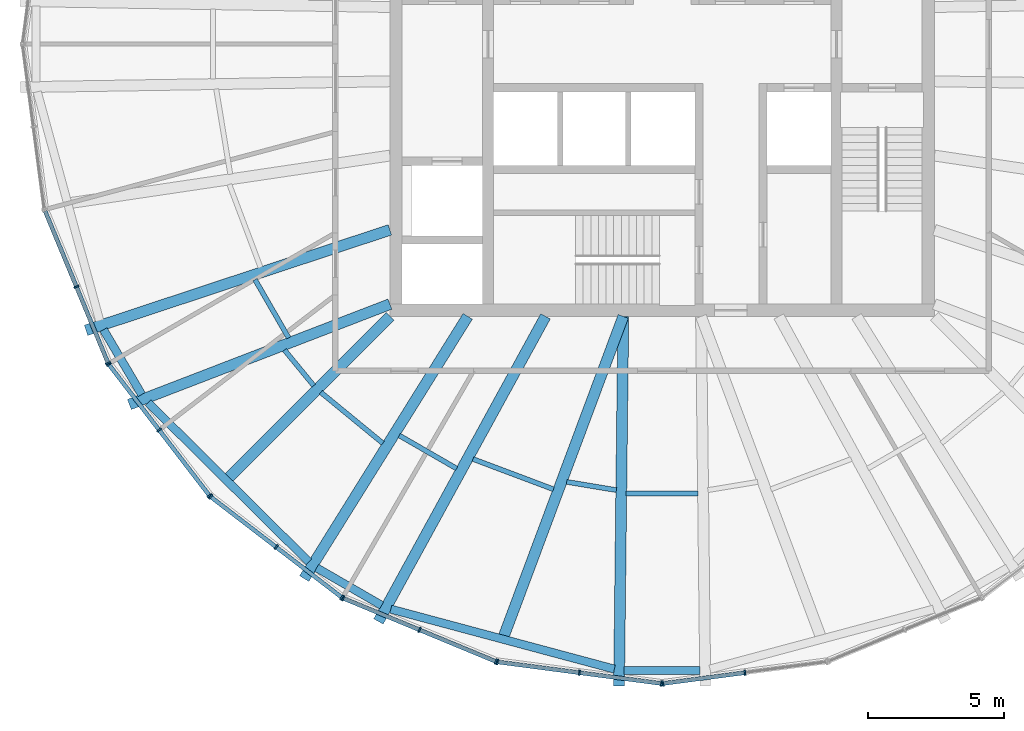
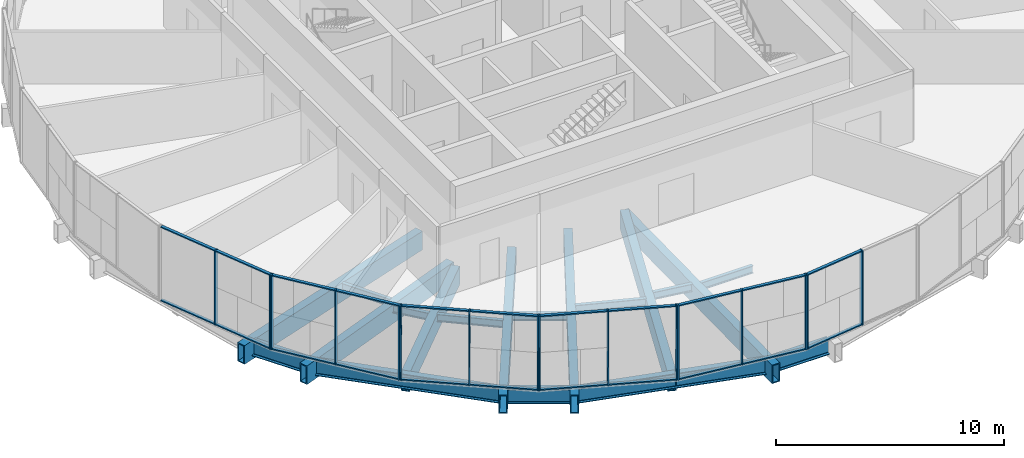
# One storey, part 1 of 13: 38 members, 19 beams, 6 elements without a shape of their own.
"""IFC4 building model written with IfcOpenShell, lengths in metres."""

import ifcopenshell
import ifcopenshell.guid

model = None  # the IFC model being written
_history = None  # IfcOwnerHistory: only IFC2X3 demands one
_inside = {}  # id of a spatial element -> (the spatial element, [elements in it])
_under = {}  # id of a project, library or spatial element -> (it, [spatial elements below it])
_declared = {}  # id of a project -> (the project, [libraries it declares])
_typed = {}  # id of a type object -> (the type object, [elements of that type])
_made_of = {}  # id of a material, layer set ... -> (it, [elements and type objects made of it])


def new_model(schema):
    """Start an empty IFC model of exactly this schema.

    Asked for "IFC4X3", IfcOpenShell would pick the latest addendum, in which some entities
    have other attributes; the version numbers below select the first issue.
    IFC2X3 requires an IfcOwnerHistory on every rooted entity: one is made here for all.
    """
    global model, _history
    if schema == "IFC4X3":
        model = ifcopenshell.file(schema_version=(4, 3, 0, 0))
    else:
        model = ifcopenshell.file(schema=schema)
    _inside.clear()
    _under.clear()
    _declared.clear()
    _typed.clear()
    _made_of.clear()
    _history = None
    if model.schema == "IFC2X3":
        org = make("IfcOrganization", Name="unknown")
        user = make(
            "IfcPersonAndOrganization",
            ThePerson=make("IfcPerson", FamilyName="unknown"),
            TheOrganization=org,
        )
        app = make(
            "IfcApplication",
            ApplicationDeveloper=org,
            Version="unknown",
            ApplicationFullName="unknown",
            ApplicationIdentifier="unknown",
        )
        _history = make(
            "IfcOwnerHistory",
            OwningUser=user,
            OwningApplication=app,
            ChangeAction="ADDED",
            CreationDate=0,
        )
    return model


def make(cls, **values):
    """One entity of the class cls with the attributes given. An attribute that is None is left unset."""
    return model.create_entity(
        cls, **{name: value for name, value in values.items() if value is not None}
    )


def rooted(cls, **values):
    """An entity with a GlobalId (a new one), such as an element, a storey or a relation."""
    return make(cls, GlobalId=ifcopenshell.guid.new(), OwnerHistory=_history, **values)


def si_unit(unit_type, name, prefix=None):
    """IfcSIUnit, for example si_unit("LENGTHUNIT", "METRE", prefix="MILLI")."""
    return make("IfcSIUnit", UnitType=unit_type, Prefix=prefix, Name=name)


def assignment(units):
    """IfcUnitAssignment: the units of a project."""
    return None if units is None else make("IfcUnitAssignment", Units=units)


def point(xyz):
    """IfcCartesianPoint."""
    return None if xyz is None else make("IfcCartesianPoint", Coordinates=xyz)


def direction(xyz):
    """IfcDirection."""
    return None if xyz is None else make("IfcDirection", DirectionRatios=xyz)


def frame(location, z_axis=None, x_axis=None):
    """IfcAxis2Placement3D, a coordinate frame: its origin and axes. An axis left out is left unset."""
    return make(
        "IfcAxis2Placement3D",
        Location=point(location),
        Axis=direction(z_axis),
        RefDirection=direction(x_axis),
    )


def frame_2d(location, x_axis=None):
    """IfcAxis2Placement2D, a coordinate frame in the plane: its origin and x axis."""
    return make(
        "IfcAxis2Placement2D", Location=point(location), RefDirection=direction(x_axis)
    )


def origin():
    """The frame at (0, 0, 0) with its axes left unset."""
    return frame((0.0, 0.0, 0.0))


def origin_2d():
    """The frame at (0, 0) in the plane with its x axis left unset."""
    return frame_2d((0.0, 0.0))


def place(relative_to, where):
    """IfcLocalPlacement: puts the frame where relative to a parent placement (None: the world)."""
    return make(
        "IfcLocalPlacement", PlacementRelTo=relative_to, RelativePlacement=where
    )


def context(
    kind, dimensions, precision=None, world=None, true_north=None, identifier=None
):
    """IfcGeometricRepresentationContext, for example the 3D "Model" context."""
    return make(
        "IfcGeometricRepresentationContext",
        ContextIdentifier=identifier,
        ContextType=kind,
        CoordinateSpaceDimension=dimensions,
        Precision=precision,
        WorldCoordinateSystem=world,
        TrueNorth=true_north,
    )


def subcontext(parent, identifier, kind, view, scale=None):
    """IfcGeometricRepresentationSubContext, for example "Body" below "Model"."""
    return make(
        "IfcGeometricRepresentationSubContext",
        ContextIdentifier=identifier,
        ContextType=kind,
        ParentContext=parent,
        TargetScale=scale,
        TargetView=view,
    )


def project(units=None, contexts=None):
    """IfcProject with its units and contexts."""
    return rooted(
        "IfcProject",
        Name="project",
        RepresentationContexts=contexts,
        UnitsInContext=assignment(units),
    )


def spatial(cls, under=None, at=None, **own):
    """A site, building, storey or space (cls), placed at a placement, below another one or the project."""
    s = rooted(cls, ObjectPlacement=at, **own)
    if under is not None:
        _under.setdefault(under.id(), (under, []))[1].append(s)
    return s


def profile(cls, at=None, kind="AREA", **sizes):
    """A parametric profile (cls). Its sizes go by their IFC names, for example OverallWidth=200.0."""
    return make(cls, ProfileType=kind, Position=at, **sizes)


def rectangle(**sizes):
    """IfcRectangleProfileDef."""
    return profile("IfcRectangleProfileDef", **sizes)


def hollow_rectangle(**sizes):
    """IfcRectangleHollowProfileDef."""
    return profile("IfcRectangleHollowProfileDef", **sizes)


def i_section(**sizes):
    """IfcIShapeProfileDef."""
    return profile("IfcIShapeProfileDef", **sizes)


def extrude(swept, where, along, depth):
    """IfcExtrudedAreaSolid: the profile swept, set in the frame where, extruded along a direction by depth."""
    return make(
        "IfcExtrudedAreaSolid",
        SweptArea=swept,
        Position=where,
        ExtrudedDirection=direction(along),
        Depth=depth,
    )


def shape(context_of_items, identifier, shape_type, items):
    """IfcShapeRepresentation: the items that make up one representation, for example the "Body"."""
    return make(
        "IfcShapeRepresentation",
        ContextOfItems=context_of_items,
        RepresentationIdentifier=identifier,
        RepresentationType=shape_type,
        Items=items,
    )


def material(Name=None, Category=None):
    """IfcMaterial."""
    return make("IfcMaterial", Name=Name, Category=Category)


def material_profile(
    of_material, cross_section, Name=None, Category=None, Priority=None
):
    """IfcMaterialProfile: a cross section and its material."""
    return make(
        "IfcMaterialProfile",
        Name=Name,
        Material=of_material,
        Profile=cross_section,
        Priority=Priority,
        Category=Category,
    )


def profile_set(profiles, Name=None, composite=None):
    """IfcMaterialProfileSet."""
    return make(
        "IfcMaterialProfileSet",
        Name=Name,
        MaterialProfiles=profiles,
        CompositeProfile=composite,
    )


def made_of(thing, what):
    """Note that an element or type object is made of a material, layer set ...; save() writes the relation."""
    if what is not None:
        _made_of.setdefault(what.id(), (what, []))[1].append(thing)
    return thing


def type_object(cls, material=None, **own):
    """A type object (cls), such as IfcWallType, which elements share."""
    return made_of(rooted(cls, **own), material)


def element(
    cls,
    number,
    at=None,
    inside=None,
    cuts=None,
    type_object=None,
    material=None,
    context=None,
    identifier="Body",
    shape_type=None,
    held_by="IfcProductDefinitionShape",
    body=None,
    shapes=None,
    **own,
):
    """One element of the class cls, such as IfcWall. Its Tag is "e" and its number.

    at: its placement. inside: the storey or other place that contains it. cuts: it is an
    opening in that element (IfcRelVoidsElement). A single representation is given by context,
    identifier, shape_type and body (its items); several are given by shapes. held_by: the class
    of the entity that holds the representations. save() writes the other relations.
    """
    e = rooted(cls, Tag="e%d" % number, ObjectPlacement=at, **own)
    if body is not None:
        shapes = [shape(context, identifier, shape_type, body)]
    if shapes is not None:
        e.Representation = make(held_by, Representations=shapes)
    if inside is not None:
        _inside.setdefault(inside.id(), (inside, []))[1].append(e)
    if cuts is not None:
        rooted(
            "IfcRelVoidsElement", RelatingBuildingElement=cuts, RelatedOpeningElement=e
        )
    if type_object is not None:
        _typed.setdefault(type_object.id(), (type_object, []))[1].append(e)
    return made_of(e, material)


def aggregate(whole, parts):
    """IfcRelAggregates: a whole, such as a stair, and the parts it consists of."""
    return rooted("IfcRelAggregates", RelatingObject=whole, RelatedObjects=parts)


def save(model, path):
    """Write the relations noted so far, then the file.

    IfcRelAggregates (storeys below a building ...), IfcRelContainedInSpatialStructure (elements
    in a storey), IfcRelDefinesByType, IfcRelAssociatesMaterial and IfcRelDeclares: one each for
    every whole, place, type object, material and project.
    """
    for whole, parts in _under.values():
        aggregate(whole, parts)
    for where, things in _inside.values():
        rooted(
            "IfcRelContainedInSpatialStructure",
            RelatedElements=things,
            RelatingStructure=where,
        )
    for kind, things in _typed.values():
        rooted("IfcRelDefinesByType", RelatedObjects=things, RelatingType=kind)
    for what, things in _made_of.values():
        rooted("IfcRelAssociatesMaterial", RelatedObjects=things, RelatingMaterial=what)
    for by, libraries in _declared.values():
        rooted("IfcRelDeclares", RelatingContext=by, RelatedDefinitions=libraries)
    model.write(path)


model = new_model("IFC4")

# Units and contexts
model_context = context("Model", 3, precision=1e-05, world=origin(), true_north=direction((0.0, 1.0)))
body_context = subcontext(model_context, "Body", "Model", "MODEL_VIEW")
ifc_project = project(units=[si_unit("LENGTHUNIT", "METRE"), si_unit("AREAUNIT", "SQUARE_METRE"), si_unit("VOLUMEUNIT", "CUBIC_METRE"), si_unit("PLANEANGLEUNIT", "RADIAN"), si_unit("MASSUNIT", "GRAM", prefix="KILO")], contexts=[model_context])

# Site, building, storey
site_placement = place(None, origin())
site = spatial("IfcSite", under=ifc_project, at=site_placement, CompositionType="ELEMENT")
building_placement = place(site_placement, origin())
building = spatial("IfcBuilding", under=site, at=building_placement, Name="Golbaran Civic Tower", CompositionType="ELEMENT")
storey_placement = place(building_placement, frame((0.0, 0.0, 211.0)))
storey = spatial("IfcBuildingStorey", under=building, at=storey_placement, Name="L51", CompositionType="ELEMENT", Elevation=211.0)

# Beams
ifc_material_1 = material(Name="Steel S355", Category="steel")
ifc_material_profile_1 = material_profile(ifc_material_1, i_section(OverallWidth=0.300048828125, OverallDepth=0.800048828125, WebThickness=0.017578125, FlangeThickness=0.032958984375, FilletRadius=0.030029296875, at=origin_2d()), Name="HEB 800")
ifc_profile_set_1 = profile_set([ifc_material_profile_1], Name="Steel S355")
beam_type_1 = type_object("IfcBeamType", Name="EDGE BEAM HEB 800", PredefinedType="BEAM", material=ifc_profile_set_1)
beam_1_placement = place(storey_placement, frame((-20.519775390625, -10.489013671875, -0.60009765625), z_axis=(0.507657170401, -0.861559166477, 0.0), x_axis=(0.861559166477, 0.507657170401, 0.0)))
element("IfcBeam", 1, at=beam_1_placement, inside=storey, type_object=beam_type_1, Name="Edge beam 206.23 L51", PredefinedType="BEAM", context=body_context, shape_type="SweptSolid", body=[
    extrude(i_section(OverallWidth=0.300048828125, OverallDepth=0.800048828125, WebThickness=0.017578125, FlangeThickness=0.032958984375, FilletRadius=0.030029296875, at=origin_2d()), origin(), (0.0, 0.0, 1.0), 2.762939453125),
])
beam_2_placement = place(storey_placement, frame((-18.88427734375, -13.16552734375, -0.60009765625), z_axis=(0.710417192706, -0.703780798479, 0.0), x_axis=(0.703780798479, 0.710417192706, 0.0)))
element("IfcBeam", 2, at=beam_2_placement, inside=storey, type_object=beam_type_1, Name="Edge beam 213.77 L51", PredefinedType="BEAM", context=body_context, shape_type="SweptSolid", body=[
    extrude(i_section(OverallWidth=0.300048828125, OverallDepth=0.800048828125, WebThickness=0.017578125, FlangeThickness=0.032958984375, FilletRadius=0.030029296875, at=origin_2d()), origin(), (0.0, 0.0, 1.0), 8.314208984375),
])
beam_3_placement = place(storey_placement, frame((-12.690673828125, -19.236572265625, -0.60009765625), z_axis=(0.866142829472, -0.499796557565, 0.0), x_axis=(0.499796557565, 0.866142829472, 0.0)))
element("IfcBeam", 3, at=beam_3_placement, inside=storey, type_object=beam_type_1, Name="Edge beam 236.23 L51", PredefinedType="BEAM", context=body_context, shape_type="SweptSolid", body=[
    extrude(i_section(OverallWidth=0.300048828125, OverallDepth=0.800048828125, WebThickness=0.017578125, FlangeThickness=0.032958984375, FilletRadius=0.030029296875, at=origin_2d()), origin(), (0.0, 0.0, 1.0), 2.757080078125),
])
beam_4_placement = place(storey_placement, frame((-9.9677734375, -20.75244140625, -0.60009765625), z_axis=(0.965858788326, -0.259069104706, 0.0), x_axis=(0.259069104706, 0.965858788326, 0.0)))
element("IfcBeam", 4, at=beam_4_placement, inside=storey, type_object=beam_type_1, Name="Edge beam 243.77 L51", PredefinedType="BEAM", context=body_context, shape_type="SweptSolid", body=[
    extrude(i_section(OverallWidth=0.300048828125, OverallDepth=0.800048828125, WebThickness=0.017578125, FlangeThickness=0.032958984375, FilletRadius=0.030029296875, at=origin_2d()), origin(), (0.0, 0.0, 1.0), 8.501220703125),
])
beam_5_placement = place(storey_placement, frame((-1.3974609375, -23.0029296875, -0.60009765625), z_axis=(1.0, 0.0, 0.0), x_axis=(0.0, 1.0, 0.0)))
element("IfcBeam", 5, at=beam_5_placement, inside=storey, type_object=beam_type_1, Name="Edge beam 266.23 L51", PredefinedType="BEAM", context=body_context, shape_type="SweptSolid", body=[
    extrude(i_section(OverallWidth=0.300048828125, OverallDepth=0.800048828125, WebThickness=0.017578125, FlangeThickness=0.032958984375, FilletRadius=0.030029296875, at=origin_2d()), origin(), (0.0, 0.0, 1.0), 2.794921875),
])
ifc_material_profile_2 = material_profile(ifc_material_1, i_section(OverallWidth=0.179931640625, OverallDepth=0.39990234375, WebThickness=0.008544921875, FlangeThickness=0.013427734375, FilletRadius=0.02099609375, at=origin_2d()), Name="IPE 400")
ifc_profile_set_2 = profile_set([ifc_material_profile_2], Name="Steel S355")
beam_type_2 = type_object("IfcBeamType", Name="FLOOR INFILL BEAM IPE 400", PredefinedType="BEAM", material=ifc_profile_set_2)
beam_6_placement = place(storey_placement, frame((-14.954833984375, -8.649169921875, -0.39990234375), z_axis=(0.499984653673, -0.866034263809, 0.0), x_axis=(0.866034263809, 0.499984653673, 0.0)))
element("IfcBeam", 6, at=beam_6_placement, inside=storey, type_object=beam_type_2, Name="Infill beam 210.00 L51", PredefinedType="BEAM", context=body_context, shape_type="SweptSolid", body=[
    extrude(i_section(OverallWidth=0.179931640625, OverallDepth=0.39990234375, WebThickness=0.008544921875, FlangeThickness=0.013427734375, FilletRadius=0.02099609375, at=origin_2d()), origin(), (0.0, 0.0, 1.0), 2.4716796875),
])
beam_7_placement = place(storey_placement, frame((-13.87255859375, -11.23486328125, -0.39990234375), z_axis=(0.63457951608, -0.772857579229, 0.0), x_axis=(0.772857579229, 0.63457951608, 0.0)))
element("IfcBeam", 7, at=beam_7_placement, inside=storey, type_object=beam_type_2, Name="Infill beam 219.39 L51", PredefinedType="BEAM", context=body_context, shape_type="SweptSolid", body=[
    extrude(i_section(OverallWidth=0.179931640625, OverallDepth=0.39990234375, WebThickness=0.008544921875, FlangeThickness=0.013427734375, FilletRadius=0.02099609375, at=origin_2d()), origin(), (0.0, 0.0, 1.0), 1.693115234375),
])
beam_8_placement = place(storey_placement, frame((-12.5361328125, -12.79052734375, -0.39990234375), z_axis=(0.77290341436, -0.634523689133, 0.0), x_axis=(0.634523689133, 0.77290341436, 0.0)))
element("IfcBeam", 8, at=beam_8_placement, inside=storey, type_object=beam_type_2, Name="Infill beam 230.61 L51", PredefinedType="BEAM", context=body_context, shape_type="SweptSolid", body=[
    extrude(i_section(OverallWidth=0.179931640625, OverallDepth=0.39990234375, WebThickness=0.008544921875, FlangeThickness=0.013427734375, FilletRadius=0.02099609375, at=origin_2d()), origin(), (0.0, 0.0, 1.0), 2.944580078125),
])
beam_9_placement = place(storey_placement, frame((-9.657470703125, -14.37255859375, -0.39990234375), z_axis=(0.866041838024, -0.499971533982, 0.0), x_axis=(0.499971533982, 0.866041838024, 0.0)))
element("IfcBeam", 9, at=beam_9_placement, inside=storey, type_object=beam_type_2, Name="Infill beam 240.00 L51", PredefinedType="BEAM", context=body_context, shape_type="SweptSolid", body=[
    extrude(i_section(OverallWidth=0.179931640625, OverallDepth=0.39990234375, WebThickness=0.008544921875, FlangeThickness=0.013427734375, FilletRadius=0.02099609375, at=origin_2d()), origin(), (0.0, 0.0, 1.0), 2.432373046875),
])
beam_10_placement = place(storey_placement, frame((-6.94873046875, -15.238525390625, -0.39990234375), z_axis=(0.935969741276, -0.352080450203, 0.0), x_axis=(0.352080450203, 0.935969741276, 0.0)))
element("IfcBeam", 10, at=beam_10_placement, inside=storey, type_object=beam_type_2, Name="Infill beam 249.39 L51", PredefinedType="BEAM", context=body_context, shape_type="SweptSolid", body=[
    extrude(i_section(OverallWidth=0.179931640625, OverallDepth=0.39990234375, WebThickness=0.008544921875, FlangeThickness=0.013427734375, FilletRadius=0.02099609375, at=origin_2d()), origin(), (0.0, 0.0, 1.0), 3.158447265625),
])
beam_11_placement = place(storey_placement, frame((-3.5068359375, -16.0791015625, -0.39990234375), z_axis=(0.986607093362, -0.163114816398, 0.0), x_axis=(0.163114816398, 0.986607093362, 0.0)))
element("IfcBeam", 11, at=beam_11_placement, inside=storey, type_object=beam_type_2, Name="Infill beam 260.61 L51", PredefinedType="BEAM", context=body_context, shape_type="SweptSolid", body=[
    extrude(i_section(OverallWidth=0.179931640625, OverallDepth=0.39990234375, WebThickness=0.008544921875, FlangeThickness=0.013427734375, FilletRadius=0.02099609375, at=origin_2d()), origin(), (0.0, 0.0, 1.0), 1.849853515625),
])
beam_12_placement = place(storey_placement, frame((-1.322998046875, -16.50146484375, -0.39990234375), z_axis=(1.0, 0.0, 0.0), x_axis=(0.0, 1.0, 0.0)))
element("IfcBeam", 12, at=beam_12_placement, inside=storey, type_object=beam_type_2, Name="Infill beam 270.00 L51", PredefinedType="BEAM", context=body_context, shape_type="SweptSolid", body=[
    extrude(i_section(OverallWidth=0.179931640625, OverallDepth=0.39990234375, WebThickness=0.008544921875, FlangeThickness=0.013427734375, FilletRadius=0.02099609375, at=origin_2d()), origin(), (0.0, 0.0, 1.0), 2.64599609375),
])

# Curtain wall, members
ifc_material_2 = material(Name="Aluminium and glass", Category="aluminium")
curtain_wall_type = type_object("IfcCurtainWallType", Name="INNER SKIN CURTAIN WALL EXECUTIVE", PredefinedType="NOTDEFINED", material=ifc_material_2)
curtain_wall_1_placement = place(storey_placement, origin())
curtain_wall_1 = element("IfcCurtainWall", 13, at=curtain_wall_1_placement, inside=storey, type_object=curtain_wall_type, Name="Inner skin L51 facet 14 CW2", ObjectType="INNER SKIN", PredefinedType="USERDEFINED")
ifc_material_3 = material(Name="Aluminium", Category="aluminium")
ifc_material_profile_3 = material_profile(ifc_material_3, rectangle(XDim=0.199951171875, YDim=0.06005859375, at=origin_2d()), Name="INNER SKIN CURTAIN WALL EXECUTIVE MULLION")
ifc_profile_set_3 = profile_set([ifc_material_profile_3], Name="Aluminium")
member_type_1 = type_object("IfcMemberType", Name="INNER SKIN CURTAIN WALL EXECUTIVE MULLION", PredefinedType="MULLION", material=ifc_profile_set_3)
member_1_placement = place(storey_placement, frame((-21.514404296875, -8.91162109375, 0.0), z_axis=(0.0, 0.0, 1.0), x_axis=(0.923879532505, 0.382683432381, 0.0)))
member_1 = element("IfcMember", 14, at=member_1_placement, type_object=member_type_1, Name="CW2 mullion 2", PredefinedType="MULLION", context=body_context, shape_type="SweptSolid", body=[
    extrude(rectangle(XDim=0.199951171875, YDim=0.06005859375, at=origin_2d()), origin(), (0.0, 0.0, 1.0), 4.0),
])
member_2_placement = place(storey_placement, frame((-20.352783203125, -11.71630859375, 0.0), z_axis=(0.0, 0.0, 1.0), x_axis=(0.923879532505, 0.382683432381, 0.0)))
member_2 = element("IfcMember", 15, at=member_2_placement, type_object=member_type_1, Name="CW2 mullion 3", PredefinedType="MULLION", context=body_context, shape_type="SweptSolid", body=[
    extrude(rectangle(XDim=0.199951171875, YDim=0.06005859375, at=origin_2d()), origin(), (0.0, 0.0, 1.0), 4.0),
])

curtain_wall_2_placement = place(storey_placement, origin())
curtain_wall_2 = element("IfcCurtainWall", 16, at=curtain_wall_2_placement, inside=storey, type_object=curtain_wall_type, Name="Inner skin L51 facet 15 CW2", ObjectType="INNER SKIN", PredefinedType="USERDEFINED")
member_3_placement = place(storey_placement, frame((-20.322998046875, -11.767822265625, 0.0), z_axis=(0.0, 0.0, 1.0), x_axis=(0.793353340366, 0.608761428912, 0.0)))
member_3 = element("IfcMember", 17, at=member_3_placement, type_object=member_type_1, Name="CW2 mullion 1", PredefinedType="MULLION", context=body_context, shape_type="SweptSolid", body=[
    extrude(rectangle(XDim=0.199951171875, YDim=0.06005859375, at=origin_2d()), origin(), (0.0, 0.0, 1.0), 4.0),
])
member_4_placement = place(storey_placement, frame((-18.474853515625, -14.17626953125, 0.0), z_axis=(0.0, 0.0, 1.0), x_axis=(0.793353340366, 0.608761428912, 0.0)))
member_4 = element("IfcMember", 18, at=member_4_placement, type_object=member_type_1, Name="CW2 mullion 2", PredefinedType="MULLION", context=body_context, shape_type="SweptSolid", body=[
    extrude(rectangle(XDim=0.199951171875, YDim=0.06005859375, at=origin_2d()), origin(), (0.0, 0.0, 1.0), 4.0),
])
member_5_placement = place(storey_placement, frame((-16.626708984375, -16.584716796875, 0.0), z_axis=(0.0, 0.0, 1.0), x_axis=(0.793353340366, 0.608761428912, 0.0)))
member_5 = element("IfcMember", 19, at=member_5_placement, type_object=member_type_1, Name="CW2 mullion 3", PredefinedType="MULLION", context=body_context, shape_type="SweptSolid", body=[
    extrude(rectangle(XDim=0.199951171875, YDim=0.06005859375, at=origin_2d()), origin(), (0.0, 0.0, 1.0), 4.0),
])

curtain_wall_3_placement = place(storey_placement, origin())
curtain_wall_3 = element("IfcCurtainWall", 20, at=curtain_wall_3_placement, inside=storey, type_object=curtain_wall_type, Name="Inner skin L51 facet 16 CW2", ObjectType="INNER SKIN", PredefinedType="USERDEFINED")
member_6_placement = place(storey_placement, frame((-16.584716796875, -16.626708984375, 0.0), z_axis=(0.0, 0.0, 1.0), x_axis=(0.608761428912, 0.793353340366, 0.0)))
member_6 = element("IfcMember", 21, at=member_6_placement, type_object=member_type_1, Name="CW2 mullion 1", PredefinedType="MULLION", context=body_context, shape_type="SweptSolid", body=[
    extrude(rectangle(XDim=0.199951171875, YDim=0.06005859375, at=origin_2d()), origin(), (0.0, 0.0, 1.0), 4.0),
])
member_7_placement = place(storey_placement, frame((-14.17626953125, -18.474853515625, 0.0), z_axis=(0.0, 0.0, 1.0), x_axis=(0.608761428912, 0.793353340366, 0.0)))
member_7 = element("IfcMember", 22, at=member_7_placement, type_object=member_type_1, Name="CW2 mullion 2", PredefinedType="MULLION", context=body_context, shape_type="SweptSolid", body=[
    extrude(rectangle(XDim=0.199951171875, YDim=0.06005859375, at=origin_2d()), origin(), (0.0, 0.0, 1.0), 4.0),
])
member_8_placement = place(storey_placement, frame((-11.767822265625, -20.322998046875, 0.0), z_axis=(0.0, 0.0, 1.0), x_axis=(0.608761428912, 0.793353340366, 0.0)))
member_8 = element("IfcMember", 23, at=member_8_placement, type_object=member_type_1, Name="CW2 mullion 3", PredefinedType="MULLION", context=body_context, shape_type="SweptSolid", body=[
    extrude(rectangle(XDim=0.199951171875, YDim=0.06005859375, at=origin_2d()), origin(), (0.0, 0.0, 1.0), 4.0),
])

curtain_wall_4_placement = place(storey_placement, origin())
curtain_wall_4 = element("IfcCurtainWall", 24, at=curtain_wall_4_placement, inside=storey, type_object=curtain_wall_type, Name="Inner skin L51 facet 17 CW2", ObjectType="INNER SKIN", PredefinedType="USERDEFINED")
member_9_placement = place(storey_placement, frame((-11.71630859375, -20.352783203125, 0.0), z_axis=(0.0, 0.0, 1.0), x_axis=(0.382683432381, 0.923879532505, 0.0)))
member_9 = element("IfcMember", 25, at=member_9_placement, type_object=member_type_1, Name="CW2 mullion 1", PredefinedType="MULLION", context=body_context, shape_type="SweptSolid", body=[
    extrude(rectangle(XDim=0.199951171875, YDim=0.06005859375, at=origin_2d()), origin(), (0.0, 0.0, 1.0), 4.0),
])
member_10_placement = place(storey_placement, frame((-8.91162109375, -21.514404296875, 0.0), z_axis=(0.0, 0.0, 1.0), x_axis=(0.382683432381, 0.923879532505, 0.0)))
member_10 = element("IfcMember", 26, at=member_10_placement, type_object=member_type_1, Name="CW2 mullion 2", PredefinedType="MULLION", context=body_context, shape_type="SweptSolid", body=[
    extrude(rectangle(XDim=0.199951171875, YDim=0.06005859375, at=origin_2d()), origin(), (0.0, 0.0, 1.0), 4.0),
])
member_11_placement = place(storey_placement, frame((-6.10693359375, -22.67626953125, 0.0), z_axis=(0.0, 0.0, 1.0), x_axis=(0.382683432381, 0.923879532505, 0.0)))
member_11 = element("IfcMember", 27, at=member_11_placement, type_object=member_type_1, Name="CW2 mullion 3", PredefinedType="MULLION", context=body_context, shape_type="SweptSolid", body=[
    extrude(rectangle(XDim=0.199951171875, YDim=0.06005859375, at=origin_2d()), origin(), (0.0, 0.0, 1.0), 4.0),
])

curtain_wall_5_placement = place(storey_placement, origin())
curtain_wall_5 = element("IfcCurtainWall", 28, at=curtain_wall_5_placement, inside=storey, type_object=curtain_wall_type, Name="Inner skin L51 facet 18 CW2", ObjectType="INNER SKIN", PredefinedType="USERDEFINED")
member_12_placement = place(storey_placement, frame((-6.04931640625, -22.691650390625, 0.0), z_axis=(0.0, 0.0, 1.0), x_axis=(0.130526192203, 0.991444861376, 0.0)))
member_12 = element("IfcMember", 29, at=member_12_placement, type_object=member_type_1, Name="CW2 mullion 1", PredefinedType="MULLION", context=body_context, shape_type="SweptSolid", body=[
    extrude(rectangle(XDim=0.199951171875, YDim=0.06005859375, at=origin_2d()), origin(), (0.0, 0.0, 1.0), 4.0),
])
member_13_placement = place(storey_placement, frame((-3.03955078125, -23.087890625, 0.0), z_axis=(0.0, 0.0, 1.0), x_axis=(0.130526192203, 0.991444861376, 0.0)))
member_13 = element("IfcMember", 30, at=member_13_placement, type_object=member_type_1, Name="CW2 mullion 2", PredefinedType="MULLION", context=body_context, shape_type="SweptSolid", body=[
    extrude(rectangle(XDim=0.199951171875, YDim=0.06005859375, at=origin_2d()), origin(), (0.0, 0.0, 1.0), 4.0),
])
member_14_placement = place(storey_placement, frame((-0.02978515625, -23.484130859375, 0.0), z_axis=(0.0, 0.0, 1.0), x_axis=(0.130526192203, 0.991444861376, 0.0)))
member_14 = element("IfcMember", 31, at=member_14_placement, type_object=member_type_1, Name="CW2 mullion 3", PredefinedType="MULLION", context=body_context, shape_type="SweptSolid", body=[
    extrude(rectangle(XDim=0.199951171875, YDim=0.06005859375, at=origin_2d()), origin(), (0.0, 0.0, 1.0), 4.0),
])

curtain_wall_6_placement = place(storey_placement, origin())
curtain_wall_6 = element("IfcCurtainWall", 32, at=curtain_wall_6_placement, inside=storey, type_object=curtain_wall_type, Name="Inner skin L51 facet 19 CW2", ObjectType="INNER SKIN", PredefinedType="USERDEFINED")
member_15_placement = place(storey_placement, frame((0.02978515625, -23.484130859375, 0.0), z_axis=(0.0, 0.0, 1.0), x_axis=(-0.130526192203, 0.991444861376, 0.0)))
member_15 = element("IfcMember", 33, at=member_15_placement, type_object=member_type_1, Name="CW2 mullion 1", PredefinedType="MULLION", context=body_context, shape_type="SweptSolid", body=[
    extrude(rectangle(XDim=0.199951171875, YDim=0.06005859375, at=origin_2d()), origin(), (0.0, 0.0, 1.0), 4.0),
])
member_16_placement = place(storey_placement, frame((3.03955078125, -23.087890625, 0.0), z_axis=(0.0, 0.0, 1.0), x_axis=(-0.130526192203, 0.991444861376, 0.0)))
member_16 = element("IfcMember", 34, at=member_16_placement, type_object=member_type_1, Name="CW2 mullion 2", PredefinedType="MULLION", context=body_context, shape_type="SweptSolid", body=[
    extrude(rectangle(XDim=0.199951171875, YDim=0.06005859375, at=origin_2d()), origin(), (0.0, 0.0, 1.0), 4.0),
])

# Member
ifc_material_profile_4 = material_profile(ifc_material_3, rectangle(XDim=0.14990234375, YDim=0.06005859375, at=origin_2d()), Name="INNER SKIN CURTAIN WALL EXECUTIVE TRANSOM")
ifc_profile_set_4 = profile_set([ifc_material_profile_4], Name="Aluminium")
member_type_2 = type_object("IfcMemberType", Name="INNER SKIN CURTAIN WALL EXECUTIVE TRANSOM", PredefinedType="USERDEFINED", material=ifc_profile_set_4)
member_17_placement = place(storey_placement, frame((-22.664794921875, -6.134521484375, 0.030029296875), z_axis=(0.382721321507, -0.923863837405, 0.0), x_axis=(0.923863837405, 0.382721321507, 0.0)))
member_17 = element("IfcMember", 35, at=member_17_placement, type_object=member_type_2, Name="CW2 transom 1.1", ObjectType="TRANSOM", PredefinedType="USERDEFINED", context=body_context, shape_type="SweptSolid", body=[
    extrude(rectangle(XDim=0.14990234375, YDim=0.06005859375, at=origin_2d()), origin(), (0.0, 0.0, 1.0), 2.975830078125),
])

member_18_placement = place(storey_placement, frame((-22.664794921875, -6.134521484375, 3.969970703125), z_axis=(0.382721321507, -0.923863837405, 0.0), x_axis=(0.923863837405, 0.382721321507, 0.0)))
member_18 = element("IfcMember", 36, at=member_18_placement, type_object=member_type_2, Name="CW2 transom 1.2", ObjectType="TRANSOM", PredefinedType="USERDEFINED", context=body_context, shape_type="SweptSolid", body=[
    extrude(rectangle(XDim=0.14990234375, YDim=0.06005859375, at=origin_2d()), origin(), (0.0, 0.0, 1.0), 2.975830078125),
])

member_19_placement = place(storey_placement, frame((-21.5029296875, -8.939208984375, 0.030029296875), z_axis=(0.382651294204, -0.923892843918, 0.0), x_axis=(0.923892843918, 0.382651294204, 0.0)))
member_19 = element("IfcMember", 37, at=member_19_placement, type_object=member_type_2, Name="CW2 transom 2.1", ObjectType="TRANSOM", PredefinedType="USERDEFINED", context=body_context, shape_type="SweptSolid", body=[
    extrude(rectangle(XDim=0.14990234375, YDim=0.06005859375, at=origin_2d()), origin(), (0.0, 0.0, 1.0), 2.975830078125),
])

member_20_placement = place(storey_placement, frame((-21.5029296875, -8.939208984375, 3.969970703125), z_axis=(0.382651294204, -0.923892843918, 0.0), x_axis=(0.923892843918, 0.382651294204, 0.0)))
member_20 = element("IfcMember", 38, at=member_20_placement, type_object=member_type_2, Name="CW2 transom 2.2", ObjectType="TRANSOM", PredefinedType="USERDEFINED", context=body_context, shape_type="SweptSolid", body=[
    extrude(rectangle(XDim=0.14990234375, YDim=0.06005859375, at=origin_2d()), origin(), (0.0, 0.0, 1.0), 2.975830078125),
])

aggregate(curtain_wall_1, [member_1, member_2, member_17, member_18, member_19, member_20])

member_21_placement = place(storey_placement, frame((-20.3046875, -11.79150390625, 0.030029296875), z_axis=(0.608758745152, -0.79335539968, 0.0), x_axis=(0.79335539968, 0.608758745152, 0.0)))
member_21 = element("IfcMember", 39, at=member_21_placement, type_object=member_type_2, Name="CW2 transom 1.1", ObjectType="TRANSOM", PredefinedType="USERDEFINED", context=body_context, shape_type="SweptSolid", body=[
    extrude(rectangle(XDim=0.14990234375, YDim=0.06005859375, at=origin_2d()), origin(), (0.0, 0.0, 1.0), 2.975830078125),
])

member_22_placement = place(storey_placement, frame((-20.3046875, -11.79150390625, 3.969970703125), z_axis=(0.608758745152, -0.79335539968, 0.0), x_axis=(0.79335539968, 0.608758745152, 0.0)))
member_22 = element("IfcMember", 40, at=member_22_placement, type_object=member_type_2, Name="CW2 transom 1.2", ObjectType="TRANSOM", PredefinedType="USERDEFINED", context=body_context, shape_type="SweptSolid", body=[
    extrude(rectangle(XDim=0.14990234375, YDim=0.06005859375, at=origin_2d()), origin(), (0.0, 0.0, 1.0), 2.975830078125),
])

member_23_placement = place(storey_placement, frame((-18.45654296875, -14.199951171875, 0.030029296875), z_axis=(0.608719123338, -0.793385800782, 0.0), x_axis=(0.793385800782, 0.608719123338, 0.0)))
member_23 = element("IfcMember", 41, at=member_23_placement, type_object=member_type_2, Name="CW2 transom 2.1", ObjectType="TRANSOM", PredefinedType="USERDEFINED", context=body_context, shape_type="SweptSolid", body=[
    extrude(rectangle(XDim=0.14990234375, YDim=0.06005859375, at=origin_2d()), origin(), (0.0, 0.0, 1.0), 2.97607421875),
])

member_24_placement = place(storey_placement, frame((-18.45654296875, -14.199951171875, 3.969970703125), z_axis=(0.608719123338, -0.793385800782, 0.0), x_axis=(0.793385800782, 0.608719123338, 0.0)))
member_24 = element("IfcMember", 42, at=member_24_placement, type_object=member_type_2, Name="CW2 transom 2.2", ObjectType="TRANSOM", PredefinedType="USERDEFINED", context=body_context, shape_type="SweptSolid", body=[
    extrude(rectangle(XDim=0.14990234375, YDim=0.06005859375, at=origin_2d()), origin(), (0.0, 0.0, 1.0), 2.97607421875),
])

aggregate(curtain_wall_2, [member_3, member_4, member_5, member_21, member_22, member_23, member_24])

member_25_placement = place(storey_placement, frame((-16.56103515625, -16.64501953125, 0.030029296875), z_axis=(0.793385800782, -0.608719123338, 0.0), x_axis=(0.608719123338, 0.793385800782, 0.0)))
member_25 = element("IfcMember", 43, at=member_25_placement, type_object=member_type_2, Name="CW2 transom 1.1", ObjectType="TRANSOM", PredefinedType="USERDEFINED", context=body_context, shape_type="SweptSolid", body=[
    extrude(rectangle(XDim=0.14990234375, YDim=0.06005859375, at=origin_2d()), origin(), (0.0, 0.0, 1.0), 2.97607421875),
])

member_26_placement = place(storey_placement, frame((-16.56103515625, -16.64501953125, 3.969970703125), z_axis=(0.793385800782, -0.608719123338, 0.0), x_axis=(0.608719123338, 0.793385800782, 0.0)))
member_26 = element("IfcMember", 44, at=member_26_placement, type_object=member_type_2, Name="CW2 transom 1.2", ObjectType="TRANSOM", PredefinedType="USERDEFINED", context=body_context, shape_type="SweptSolid", body=[
    extrude(rectangle(XDim=0.14990234375, YDim=0.06005859375, at=origin_2d()), origin(), (0.0, 0.0, 1.0), 2.97607421875),
])

member_27_placement = place(storey_placement, frame((-14.15234375, -18.4931640625, 0.030029296875), z_axis=(0.79335539968, -0.608758745152, 0.0), x_axis=(0.608758745152, 0.79335539968, 0.0)))
member_27 = element("IfcMember", 45, at=member_27_placement, type_object=member_type_2, Name="CW2 transom 2.1", ObjectType="TRANSOM", PredefinedType="USERDEFINED", context=body_context, shape_type="SweptSolid", body=[
    extrude(rectangle(XDim=0.14990234375, YDim=0.06005859375, at=origin_2d()), origin(), (0.0, 0.0, 1.0), 2.975830078125),
])

member_28_placement = place(storey_placement, frame((-14.15234375, -18.4931640625, 3.969970703125), z_axis=(0.79335539968, -0.608758745152, 0.0), x_axis=(0.608758745152, 0.79335539968, 0.0)))
member_28 = element("IfcMember", 46, at=member_28_placement, type_object=member_type_2, Name="CW2 transom 2.2", ObjectType="TRANSOM", PredefinedType="USERDEFINED", context=body_context, shape_type="SweptSolid", body=[
    extrude(rectangle(XDim=0.14990234375, YDim=0.06005859375, at=origin_2d()), origin(), (0.0, 0.0, 1.0), 2.975830078125),
])

aggregate(curtain_wall_3, [member_6, member_7, member_8, member_25, member_26, member_27, member_28])

member_29_placement = place(storey_placement, frame((-11.6884765625, -20.3642578125, 0.030029296875), z_axis=(0.923892843918, -0.382651294204, 0.0), x_axis=(0.382651294204, 0.923892843918, 0.0)))
member_29 = element("IfcMember", 47, at=member_29_placement, type_object=member_type_2, Name="CW2 transom 1.1", ObjectType="TRANSOM", PredefinedType="USERDEFINED", context=body_context, shape_type="SweptSolid", body=[
    extrude(rectangle(XDim=0.14990234375, YDim=0.06005859375, at=origin_2d()), origin(), (0.0, 0.0, 1.0), 2.975830078125),
])

member_30_placement = place(storey_placement, frame((-11.6884765625, -20.3642578125, 3.969970703125), z_axis=(0.923892843918, -0.382651294204, 0.0), x_axis=(0.382651294204, 0.923892843918, 0.0)))
member_30 = element("IfcMember", 48, at=member_30_placement, type_object=member_type_2, Name="CW2 transom 1.2", ObjectType="TRANSOM", PredefinedType="USERDEFINED", context=body_context, shape_type="SweptSolid", body=[
    extrude(rectangle(XDim=0.14990234375, YDim=0.06005859375, at=origin_2d()), origin(), (0.0, 0.0, 1.0), 2.975830078125),
])

member_31_placement = place(storey_placement, frame((-8.8837890625, -21.52587890625, 0.030029296875), z_axis=(0.923863837405, -0.382721321507, 0.0), x_axis=(0.382721321507, 0.923863837405, 0.0)))
member_31 = element("IfcMember", 49, at=member_31_placement, type_object=member_type_2, Name="CW2 transom 2.1", ObjectType="TRANSOM", PredefinedType="USERDEFINED", context=body_context, shape_type="SweptSolid", body=[
    extrude(rectangle(XDim=0.14990234375, YDim=0.06005859375, at=origin_2d()), origin(), (0.0, 0.0, 1.0), 2.975830078125),
])

member_32_placement = place(storey_placement, frame((-8.8837890625, -21.52587890625, 3.969970703125), z_axis=(0.923863837405, -0.382721321507, 0.0), x_axis=(0.382721321507, 0.923863837405, 0.0)))
member_32 = element("IfcMember", 50, at=member_32_placement, type_object=member_type_2, Name="CW2 transom 2.2", ObjectType="TRANSOM", PredefinedType="USERDEFINED", context=body_context, shape_type="SweptSolid", body=[
    extrude(rectangle(XDim=0.14990234375, YDim=0.06005859375, at=origin_2d()), origin(), (0.0, 0.0, 1.0), 2.975830078125),
])

aggregate(curtain_wall_4, [member_9, member_10, member_11, member_29, member_30, member_31, member_32])

member_33_placement = place(storey_placement, frame((-6.019775390625, -22.695556640625, 0.030029296875), z_axis=(0.991445078306, -0.130524544442, 0.0), x_axis=(0.130524544442, 0.991445078306, 0.0)))
member_33 = element("IfcMember", 51, at=member_33_placement, type_object=member_type_2, Name="CW2 transom 1.1", ObjectType="TRANSOM", PredefinedType="USERDEFINED", context=body_context, shape_type="SweptSolid", body=[
    extrude(rectangle(XDim=0.14990234375, YDim=0.06005859375, at=origin_2d()), origin(), (0.0, 0.0, 1.0), 2.975830078125),
])

member_34_placement = place(storey_placement, frame((-6.019775390625, -22.695556640625, 3.969970703125), z_axis=(0.991445078306, -0.130524544442, 0.0), x_axis=(0.130524544442, 0.991445078306, 0.0)))
member_34 = element("IfcMember", 52, at=member_34_placement, type_object=member_type_2, Name="CW2 transom 1.2", ObjectType="TRANSOM", PredefinedType="USERDEFINED", context=body_context, shape_type="SweptSolid", body=[
    extrude(rectangle(XDim=0.14990234375, YDim=0.06005859375, at=origin_2d()), origin(), (0.0, 0.0, 1.0), 2.975830078125),
])

member_35_placement = place(storey_placement, frame((-3.009765625, -23.091796875, 0.030029296875), z_axis=(0.99144368046, -0.130535161835, 0.0), x_axis=(0.130535161835, 0.99144368046, 0.0)))
member_35 = element("IfcMember", 53, at=member_35_placement, type_object=member_type_2, Name="CW2 transom 2.1", ObjectType="TRANSOM", PredefinedType="USERDEFINED", context=body_context, shape_type="SweptSolid", body=[
    extrude(rectangle(XDim=0.14990234375, YDim=0.06005859375, at=origin_2d()), origin(), (0.0, 0.0, 1.0), 2.9755859375),
])

member_36_placement = place(storey_placement, frame((-3.009765625, -23.091796875, 3.969970703125), z_axis=(0.99144368046, -0.130535161835, 0.0), x_axis=(0.130535161835, 0.99144368046, 0.0)))
member_36 = element("IfcMember", 54, at=member_36_placement, type_object=member_type_2, Name="CW2 transom 2.2", ObjectType="TRANSOM", PredefinedType="USERDEFINED", context=body_context, shape_type="SweptSolid", body=[
    extrude(rectangle(XDim=0.14990234375, YDim=0.06005859375, at=origin_2d()), origin(), (0.0, 0.0, 1.0), 2.9755859375),
])

aggregate(curtain_wall_5, [member_12, member_13, member_14, member_33, member_34, member_35, member_36])

member_37_placement = place(storey_placement, frame((0.0595703125, -23.480224609375, 0.030029296875), z_axis=(0.99144368046, 0.130535161835, 0.0), x_axis=(-0.130535161835, 0.99144368046, 0.0)))
member_37 = element("IfcMember", 55, at=member_37_placement, type_object=member_type_2, Name="CW2 transom 1.1", ObjectType="TRANSOM", PredefinedType="USERDEFINED", context=body_context, shape_type="SweptSolid", body=[
    extrude(rectangle(XDim=0.14990234375, YDim=0.06005859375, at=origin_2d()), origin(), (0.0, 0.0, 1.0), 2.9755859375),
])

member_38_placement = place(storey_placement, frame((0.0595703125, -23.480224609375, 3.969970703125), z_axis=(0.99144368046, 0.130535161835, 0.0), x_axis=(-0.130535161835, 0.99144368046, 0.0)))
member_38 = element("IfcMember", 56, at=member_38_placement, type_object=member_type_2, Name="CW2 transom 1.2", ObjectType="TRANSOM", PredefinedType="USERDEFINED", context=body_context, shape_type="SweptSolid", body=[
    extrude(rectangle(XDim=0.14990234375, YDim=0.06005859375, at=origin_2d()), origin(), (0.0, 0.0, 1.0), 2.9755859375),
])

aggregate(curtain_wall_6, [member_15, member_16, member_37, member_38])

# Beams
ifc_material_profile_5 = material_profile(ifc_material_1, hollow_rectangle(XDim=0.39990234375, YDim=1.0, WallThickness=0.050048828125, at=origin_2d()), Name="BOX 1000x400x50")
ifc_profile_set_5 = profile_set([ifc_material_profile_5], Name="Steel S355")
beam_type_3 = type_object("IfcBeamType", Name="RADIAL FLOOR BEAM BOX 1000x400x50", PredefinedType="BEAM", material=ifc_profile_set_5)
beam_13_placement = place(storey_placement, frame((-10.0, -6.821533203125, -0.7099609375), z_axis=(-0.949452887328, -0.313909564594, 0.0), x_axis=(0.313909564594, -0.949452887328, 0.0)))
element("IfcBeam", 57, at=beam_13_placement, inside=storey, type_object=beam_type_3, Name="Radial beam 206.23 L51", PredefinedType="BEAM", context=body_context, shape_type="SweptSolid", body=[
    extrude(hollow_rectangle(XDim=0.39990234375, YDim=1.0, WallThickness=0.050048828125, at=origin_2d()), origin(), (0.0, 0.0, 1.0), 11.7578125),
])
beam_14_placement = place(storey_placement, frame((-10.0, -9.550048828125, -0.7099609375), z_axis=(-0.933152848345, -0.359479848707, 0.0), x_axis=(0.359479848707, -0.933152848345, 0.0)))
element("IfcBeam", 58, at=beam_14_placement, inside=storey, type_object=beam_type_3, Name="Radial beam 213.77 L51", PredefinedType="BEAM", context=body_context, shape_type="SweptSolid", body=[
    extrude(hollow_rectangle(XDim=0.39990234375, YDim=1.0, WallThickness=0.050048828125, at=origin_2d()), origin(), (0.0, 0.0, 1.0), 10.257080078125),
])
beam_15_placement = place(storey_placement, frame((-7.142822265625, -10.0, -0.7099609375), z_axis=(-0.529136453268, -0.848536748658, 0.0), x_axis=(0.848536748658, -0.529136453268, 0.0)))
element("IfcBeam", 59, at=beam_15_placement, inside=storey, type_object=beam_type_3, Name="Radial beam 236.23 L51", PredefinedType="BEAM", context=body_context, shape_type="SweptSolid", body=[
    extrude(hollow_rectangle(XDim=0.39990234375, YDim=1.0, WallThickness=0.050048828125, at=origin_2d()), origin(), (0.0, 0.0, 1.0), 11.351806640625),
])
beam_16_placement = place(storey_placement, frame((-4.28564453125, -10.0, -0.7099609375), z_axis=(-0.480258620851, -0.877126933287, 0.0), x_axis=(0.877126933287, -0.480258620851, 0.0)))
element("IfcBeam", 60, at=beam_16_placement, inside=storey, type_object=beam_type_3, Name="Radial beam 243.77 L51", PredefinedType="BEAM", context=body_context, shape_type="SweptSolid", body=[
    extrude(hollow_rectangle(XDim=0.39990234375, YDim=1.0, WallThickness=0.050048828125, at=origin_2d()), origin(), (0.0, 0.0, 1.0), 12.7763671875),
])
beam_17_placement = place(storey_placement, frame((-1.428466796875, -10.0, -0.7099609375), z_axis=(-0.011454640758, -0.99993439345, 0.0), x_axis=(0.99993439345, -0.011454640758, 0.0)))
element("IfcBeam", 61, at=beam_17_placement, inside=storey, type_object=beam_type_3, Name="Radial beam 266.23 L51", PredefinedType="BEAM", context=body_context, shape_type="SweptSolid", body=[
    extrude(hollow_rectangle(XDim=0.39990234375, YDim=1.0, WallThickness=0.050048828125, at=origin_2d()), origin(), (0.0, 0.0, 1.0), 13.576904296875),
])
ifc_material_profile_6 = material_profile(ifc_material_1, hollow_rectangle(XDim=0.39990234375, YDim=1.0, WallThickness=0.0400390625, at=origin_2d()), Name="BOX 1000x400x40")
ifc_profile_set_6 = profile_set([ifc_material_profile_6], Name="Steel S355")
beam_type_4 = type_object("IfcBeamType", Name="SECONDARY FLOOR BEAM BOX 1000x400x40", PredefinedType="BEAM", material=ifc_profile_set_6)
beam_18_placement = place(storey_placement, frame((-10.0, -10.0, -0.7099609375), z_axis=(-0.707106781187, -0.707106781187, 0.0), x_axis=(0.707106781187, -0.707106781187, 0.0)))
element("IfcBeam", 62, at=beam_18_placement, inside=storey, type_object=beam_type_4, Name="Secondary beam 225.00 L51", PredefinedType="BEAM", context=body_context, shape_type="SweptSolid", body=[
    extrude(hollow_rectangle(XDim=0.39990234375, YDim=1.0, WallThickness=0.0400390625, at=origin_2d()), origin(), (0.0, 0.0, 1.0), 8.50146484375),
])
beam_19_placement = place(storey_placement, frame((-1.428466796875, -10.0, -0.7099609375), z_axis=(-0.349877878636, -0.936795319182, 0.0), x_axis=(0.936795319182, -0.349877878636, 0.0)))
element("IfcBeam", 63, at=beam_19_placement, inside=storey, type_object=beam_type_4, Name="Secondary beam 255.00 L51", PredefinedType="BEAM", context=body_context, shape_type="SweptSolid", body=[
    extrude(hollow_rectangle(XDim=0.39990234375, YDim=1.0, WallThickness=0.0400390625, at=origin_2d()), origin(), (0.0, 0.0, 1.0), 12.655029296875),
])

save(model, "model.ifc")
